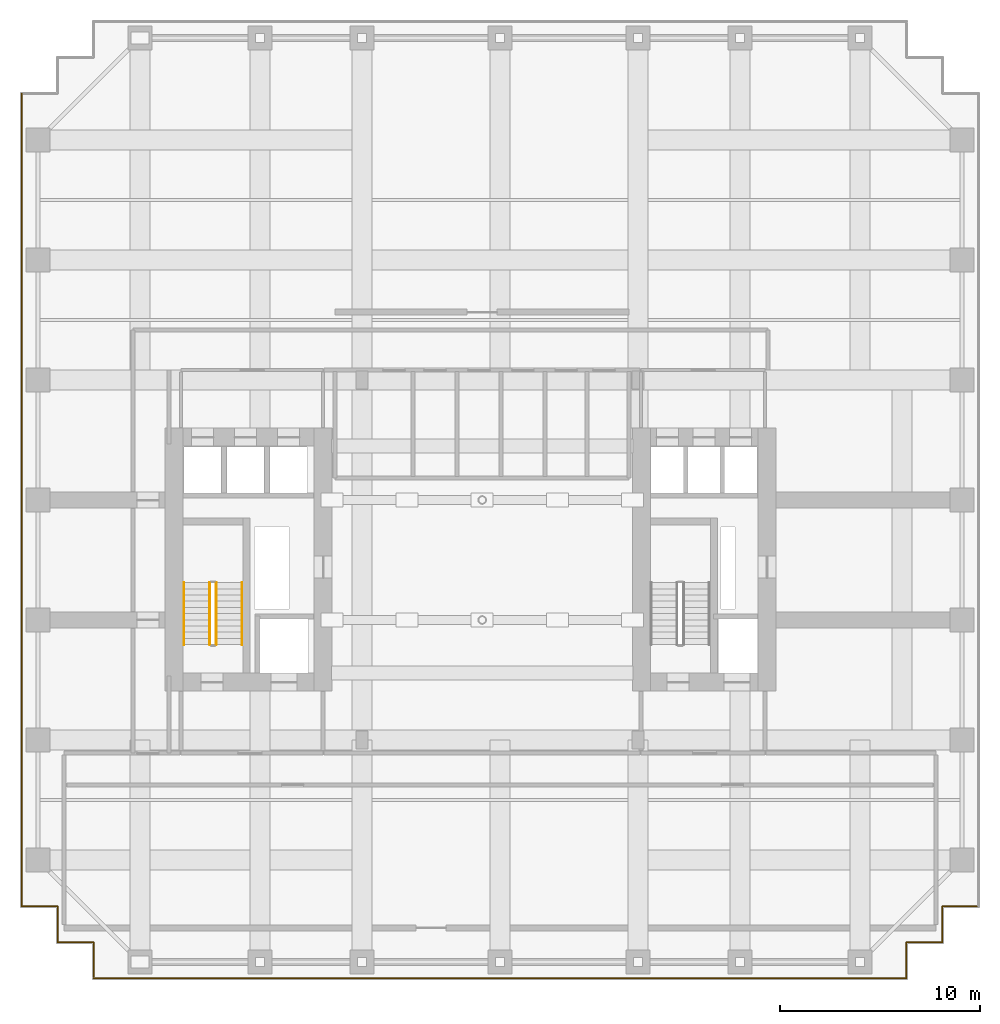
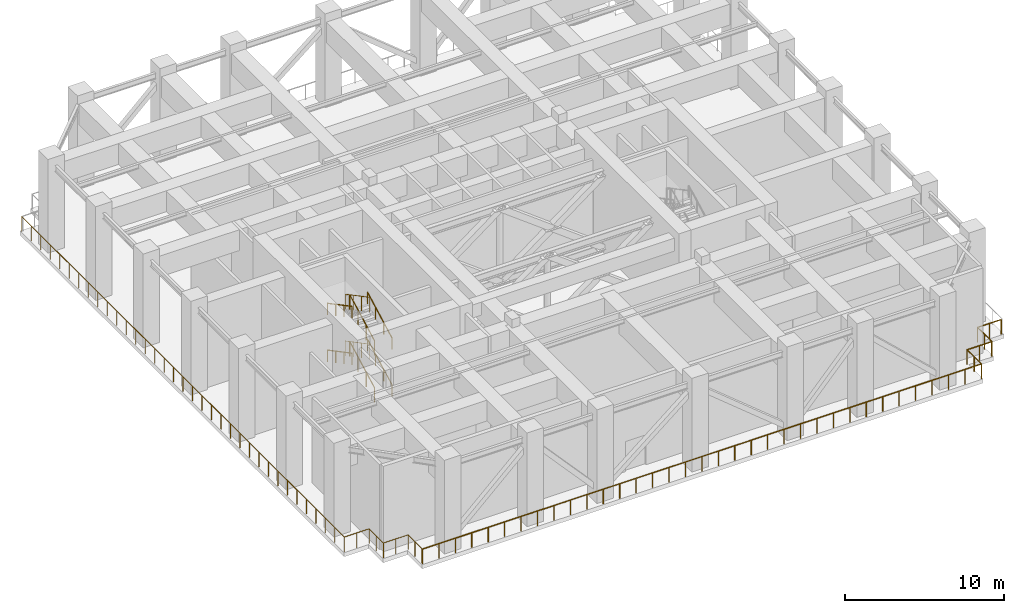
# One storey, part 8 of 10: 10 railings.
"""IFC4 building model written with IfcOpenShell, lengths in metres."""

from ifc_helpers import new_model, si_unit, direction, frame, origin, origin_2d, place, context, subcontext, project, spatial, circle, extrude, material, type_object, element, save


model = new_model("IFC4")

# Units and contexts
model_context = context("Model", 3, precision=1e-05, world=origin(), true_north=direction((0.0, 1.0)))
body_context = subcontext(model_context, "Body", "Model", "MODEL_VIEW")
ifc_project = project(units=[si_unit("LENGTHUNIT", "METRE"), si_unit("AREAUNIT", "SQUARE_METRE"), si_unit("VOLUMEUNIT", "CUBIC_METRE"), si_unit("PLANEANGLEUNIT", "RADIAN"), si_unit("MASSUNIT", "GRAM", prefix="KILO")], contexts=[model_context])

# Site, building, storey
site_placement = place(None, origin())
site = spatial("IfcSite", under=ifc_project, at=site_placement, CompositionType="ELEMENT")
building_placement = place(site_placement, origin())
building = spatial("IfcBuilding", under=site, at=building_placement, Name="Khoralis Quay Care Tower", CompositionType="ELEMENT")
storey_placement = place(building_placement, frame((0.0, 0.0, 76.5)))
storey = spatial("IfcBuildingStorey", under=building, at=storey_placement, Name="L20", CompositionType="ELEMENT", Elevation=76.5)

# Railings
ifc_material_1 = material(Name="Pale anodised aluminium", Category="aluminium")
railing_type_1 = type_object("IfcRailingType", Name="RL-BALUST-1150", PredefinedType="BALUSTRADE", material=ifc_material_1)
railing_1_placement = place(storey_placement, frame((3.679931640625, 0.080078125, 0.0)))
element("IfcRailing", 1, at=railing_1_placement, inside=storey, type_object=railing_type_1, Name="L20 Open Wind-Slot Portal Perimeter Guard 1.1", PredefinedType="BALUSTRADE", context=body_context, shape_type="SweptSolid", body=[
    extrude(circle(Radius=0.02392578125, at=origin_2d()), frame((0.0, 0.0, 1.1259765625), z_axis=(1.0, 0.0, 0.0), x_axis=(0.0, 1.0, 0.0)), (0.0, 0.0, 1.0), 40.64013671875),
    extrude(circle(Radius=0.02392578125, at=origin_2d()), frame((40.64013671875, 0.0, 1.1259765625), z_axis=(0.0, 1.0, 0.0), x_axis=(-1.0, 0.0, 0.0)), (0.0, 0.0, 1.0), 1.7998046875),
    extrude(circle(Radius=0.02392578125, at=origin_2d()), frame((40.64013671875, 1.7998046875, 1.1259765625), z_axis=(1.0, 0.0, 0.0), x_axis=(0.0, 1.0, 0.0)), (0.0, 0.0, 1.0), 1.800048828125),
    extrude(circle(Radius=0.02392578125, at=origin_2d()), frame((42.440185546875, 1.7998046875, 1.1259765625), z_axis=(0.0, 1.0, 0.0), x_axis=(-1.0, 0.0, 0.0)), (0.0, 0.0, 1.0), 1.800048828125),
    extrude(circle(Radius=0.02392578125, at=origin_2d()), frame((42.440185546875, 3.599853515625, 1.1259765625), z_axis=(1.0, 0.0, 0.0), x_axis=(0.0, 1.0, 0.0)), (0.0, 0.0, 1.0), 1.719970703125),
    extrude(circle(Radius=0.02099609375, at=origin_2d()), origin(), (0.0, 0.0, 1.0), 1.101806640625),
    extrude(circle(Radius=0.02099609375, at=origin_2d()), frame((1.1953125, 0.0, 0.0)), (0.0, 0.0, 1.0), 1.101806640625),
    extrude(circle(Radius=0.02099609375, at=origin_2d()), frame((2.390625, 0.0, 0.0)), (0.0, 0.0, 1.0), 1.101806640625),
    extrude(circle(Radius=0.02099609375, at=origin_2d()), frame((3.5859375, 0.0, 0.0)), (0.0, 0.0, 1.0), 1.101806640625),
    extrude(circle(Radius=0.02099609375, at=origin_2d()), frame((4.78125, 0.0, 0.0)), (0.0, 0.0, 1.0), 1.101806640625),
    extrude(circle(Radius=0.02099609375, at=origin_2d()), frame((5.9765625, 0.0, 0.0)), (0.0, 0.0, 1.0), 1.101806640625),
    extrude(circle(Radius=0.02099609375, at=origin_2d()), frame((7.171875, 0.0, 0.0)), (0.0, 0.0, 1.0), 1.101806640625),
    extrude(circle(Radius=0.02099609375, at=origin_2d()), frame((8.3671875, 0.0, 0.0)), (0.0, 0.0, 1.0), 1.101806640625),
    extrude(circle(Radius=0.02099609375, at=origin_2d()), frame((9.5625, 0.0, 0.0)), (0.0, 0.0, 1.0), 1.101806640625),
    extrude(circle(Radius=0.02099609375, at=origin_2d()), frame((10.757568359375, 0.0, 0.0)), (0.0, 0.0, 1.0), 1.101806640625),
    extrude(circle(Radius=0.02099609375, at=origin_2d()), frame((11.952880859375, 0.0, 0.0)), (0.0, 0.0, 1.0), 1.101806640625),
    extrude(circle(Radius=0.02099609375, at=origin_2d()), frame((13.148193359375, 0.0, 0.0)), (0.0, 0.0, 1.0), 1.101806640625),
    extrude(circle(Radius=0.02099609375, at=origin_2d()), frame((14.343505859375, 0.0, 0.0)), (0.0, 0.0, 1.0), 1.101806640625),
    extrude(circle(Radius=0.02099609375, at=origin_2d()), frame((15.538818359375, 0.0, 0.0)), (0.0, 0.0, 1.0), 1.101806640625),
    extrude(circle(Radius=0.02099609375, at=origin_2d()), frame((16.734130859375, 0.0, 0.0)), (0.0, 0.0, 1.0), 1.101806640625),
    extrude(circle(Radius=0.02099609375, at=origin_2d()), frame((17.929443359375, 0.0, 0.0)), (0.0, 0.0, 1.0), 1.101806640625),
    extrude(circle(Radius=0.02099609375, at=origin_2d()), frame((19.124755859375, 0.0, 0.0)), (0.0, 0.0, 1.0), 1.101806640625),
    extrude(circle(Radius=0.02099609375, at=origin_2d()), frame((20.320068359375, 0.0, 0.0)), (0.0, 0.0, 1.0), 1.101806640625),
    extrude(circle(Radius=0.02099609375, at=origin_2d()), frame((21.515380859375, 0.0, 0.0)), (0.0, 0.0, 1.0), 1.101806640625),
    extrude(circle(Radius=0.02099609375, at=origin_2d()), frame((22.710693359375, 0.0, 0.0)), (0.0, 0.0, 1.0), 1.101806640625),
    extrude(circle(Radius=0.02099609375, at=origin_2d()), frame((23.906005859375, 0.0, 0.0)), (0.0, 0.0, 1.0), 1.101806640625),
    extrude(circle(Radius=0.02099609375, at=origin_2d()), frame((25.101318359375, 0.0, 0.0)), (0.0, 0.0, 1.0), 1.101806640625),
    extrude(circle(Radius=0.02099609375, at=origin_2d()), frame((26.296630859375, 0.0, 0.0)), (0.0, 0.0, 1.0), 1.101806640625),
    extrude(circle(Radius=0.02099609375, at=origin_2d()), frame((27.491943359375, 0.0, 0.0)), (0.0, 0.0, 1.0), 1.101806640625),
    extrude(circle(Radius=0.02099609375, at=origin_2d()), frame((28.687255859375, 0.0, 0.0)), (0.0, 0.0, 1.0), 1.101806640625),
    extrude(circle(Radius=0.02099609375, at=origin_2d()), frame((29.882568359375, 0.0, 0.0)), (0.0, 0.0, 1.0), 1.101806640625),
    extrude(circle(Radius=0.02099609375, at=origin_2d()), frame((31.07763671875, 0.0, 0.0)), (0.0, 0.0, 1.0), 1.101806640625),
    extrude(circle(Radius=0.02099609375, at=origin_2d()), frame((32.27294921875, 0.0, 0.0)), (0.0, 0.0, 1.0), 1.101806640625),
    extrude(circle(Radius=0.02099609375, at=origin_2d()), frame((33.46826171875, 0.0, 0.0)), (0.0, 0.0, 1.0), 1.101806640625),
    extrude(circle(Radius=0.02099609375, at=origin_2d()), frame((34.66357421875, 0.0, 0.0)), (0.0, 0.0, 1.0), 1.101806640625),
    extrude(circle(Radius=0.02099609375, at=origin_2d()), frame((35.85888671875, 0.0, 0.0)), (0.0, 0.0, 1.0), 1.101806640625),
    extrude(circle(Radius=0.02099609375, at=origin_2d()), frame((37.05419921875, 0.0, 0.0)), (0.0, 0.0, 1.0), 1.101806640625),
    extrude(circle(Radius=0.02099609375, at=origin_2d()), frame((38.24951171875, 0.0, 0.0)), (0.0, 0.0, 1.0), 1.101806640625),
    extrude(circle(Radius=0.02099609375, at=origin_2d()), frame((39.44482421875, 0.0, 0.0)), (0.0, 0.0, 1.0), 1.101806640625),
    extrude(circle(Radius=0.02099609375, at=origin_2d()), frame((40.64013671875, 0.0, 0.0)), (0.0, 0.0, 1.0), 1.101806640625),
    extrude(circle(Radius=0.02099609375, at=origin_2d()), frame((40.64013671875, 0.89990234375, 0.0)), (0.0, 0.0, 1.0), 1.101806640625),
    extrude(circle(Radius=0.02099609375, at=origin_2d()), frame((40.64013671875, 1.7998046875, 0.0)), (0.0, 0.0, 1.0), 1.101806640625),
    extrude(circle(Radius=0.02099609375, at=origin_2d()), frame((41.5400390625, 1.7998046875, 0.0)), (0.0, 0.0, 1.0), 1.101806640625),
    extrude(circle(Radius=0.02099609375, at=origin_2d()), frame((42.440185546875, 1.7998046875, 0.0)), (0.0, 0.0, 1.0), 1.101806640625),
    extrude(circle(Radius=0.02099609375, at=origin_2d()), frame((42.440185546875, 2.69970703125, 0.0)), (0.0, 0.0, 1.0), 1.101806640625),
    extrude(circle(Radius=0.02099609375, at=origin_2d()), frame((42.440185546875, 3.599853515625, 0.0)), (0.0, 0.0, 1.0), 1.101806640625),
    extrude(circle(Radius=0.02099609375, at=origin_2d()), frame((43.30029296875, 3.599853515625, 0.0)), (0.0, 0.0, 1.0), 1.101806640625),
    extrude(circle(Radius=0.02099609375, at=origin_2d()), frame((44.16015625, 3.599853515625, 0.0)), (0.0, 0.0, 1.0), 1.101806640625),
])
railing_2_placement = place(storey_placement, frame((0.080078125, 44.320068359375, 0.0)))
element("IfcRailing", 2, at=railing_2_placement, inside=storey, type_object=railing_type_1, Name="L20 Open Wind-Slot Portal Perimeter Guard 1.4", PredefinedType="BALUSTRADE", context=body_context, shape_type="SweptSolid", body=[
    extrude(circle(Radius=0.02392578125, at=origin_2d()), frame((0.0, 0.0, 1.1259765625), z_axis=(0.0, -1.0, 0.0), x_axis=(1.0, 0.0, 0.0)), (0.0, 0.0, 1.0), 40.64013671875),
    extrude(circle(Radius=0.02392578125, at=origin_2d()), frame((0.0, -40.64013671875, 1.1259765625), z_axis=(1.0, 0.0, 0.0), x_axis=(0.0, 1.0, 0.0)), (0.0, 0.0, 1.0), 1.7998046875),
    extrude(circle(Radius=0.02392578125, at=origin_2d()), frame((1.7998046875, -40.64013671875, 1.1259765625), z_axis=(0.0, -1.0, 0.0), x_axis=(1.0, 0.0, 0.0)), (0.0, 0.0, 1.0), 1.800048828125),
    extrude(circle(Radius=0.02392578125, at=origin_2d()), frame((1.7998046875, -42.440185546875, 1.1259765625), z_axis=(1.0, 0.0, 0.0), x_axis=(0.0, 1.0, 0.0)), (0.0, 0.0, 1.0), 1.800048828125),
    extrude(circle(Radius=0.02392578125, at=origin_2d()), frame((3.599853515625, -42.440185546875, 1.1259765625), z_axis=(0.0, -1.0, 0.0), x_axis=(1.0, 0.0, 0.0)), (0.0, 0.0, 1.0), 1.719970703125),
    extrude(circle(Radius=0.02099609375, at=origin_2d()), origin(), (0.0, 0.0, 1.0), 1.101806640625),
    extrude(circle(Radius=0.02099609375, at=origin_2d()), frame((0.0, -1.1953125, 0.0)), (0.0, 0.0, 1.0), 1.101806640625),
    extrude(circle(Radius=0.02099609375, at=origin_2d()), frame((0.0, -2.390625, 0.0)), (0.0, 0.0, 1.0), 1.101806640625),
    extrude(circle(Radius=0.02099609375, at=origin_2d()), frame((0.0, -3.5859375, 0.0)), (0.0, 0.0, 1.0), 1.101806640625),
    extrude(circle(Radius=0.02099609375, at=origin_2d()), frame((0.0, -4.78125, 0.0)), (0.0, 0.0, 1.0), 1.101806640625),
    extrude(circle(Radius=0.02099609375, at=origin_2d()), frame((0.0, -5.9765625, 0.0)), (0.0, 0.0, 1.0), 1.101806640625),
    extrude(circle(Radius=0.02099609375, at=origin_2d()), frame((0.0, -7.171875, 0.0)), (0.0, 0.0, 1.0), 1.101806640625),
    extrude(circle(Radius=0.02099609375, at=origin_2d()), frame((0.0, -8.3671875, 0.0)), (0.0, 0.0, 1.0), 1.101806640625),
    extrude(circle(Radius=0.02099609375, at=origin_2d()), frame((0.0, -9.5625, 0.0)), (0.0, 0.0, 1.0), 1.101806640625),
    extrude(circle(Radius=0.02099609375, at=origin_2d()), frame((0.0, -10.757568359375, 0.0)), (0.0, 0.0, 1.0), 1.101806640625),
    extrude(circle(Radius=0.02099609375, at=origin_2d()), frame((0.0, -11.952880859375, 0.0)), (0.0, 0.0, 1.0), 1.101806640625),
    extrude(circle(Radius=0.02099609375, at=origin_2d()), frame((0.0, -13.148193359375, 0.0)), (0.0, 0.0, 1.0), 1.101806640625),
    extrude(circle(Radius=0.02099609375, at=origin_2d()), frame((0.0, -14.343505859375, 0.0)), (0.0, 0.0, 1.0), 1.101806640625),
    extrude(circle(Radius=0.02099609375, at=origin_2d()), frame((0.0, -15.538818359375, 0.0)), (0.0, 0.0, 1.0), 1.101806640625),
    extrude(circle(Radius=0.02099609375, at=origin_2d()), frame((0.0, -16.734130859375, 0.0)), (0.0, 0.0, 1.0), 1.101806640625),
    extrude(circle(Radius=0.02099609375, at=origin_2d()), frame((0.0, -17.929443359375, 0.0)), (0.0, 0.0, 1.0), 1.101806640625),
    extrude(circle(Radius=0.02099609375, at=origin_2d()), frame((0.0, -19.124755859375, 0.0)), (0.0, 0.0, 1.0), 1.101806640625),
    extrude(circle(Radius=0.02099609375, at=origin_2d()), frame((0.0, -20.320068359375, 0.0)), (0.0, 0.0, 1.0), 1.101806640625),
    extrude(circle(Radius=0.02099609375, at=origin_2d()), frame((0.0, -21.515380859375, 0.0)), (0.0, 0.0, 1.0), 1.101806640625),
    extrude(circle(Radius=0.02099609375, at=origin_2d()), frame((0.0, -22.710693359375, 0.0)), (0.0, 0.0, 1.0), 1.101806640625),
    extrude(circle(Radius=0.02099609375, at=origin_2d()), frame((0.0, -23.906005859375, 0.0)), (0.0, 0.0, 1.0), 1.101806640625),
    extrude(circle(Radius=0.02099609375, at=origin_2d()), frame((0.0, -25.101318359375, 0.0)), (0.0, 0.0, 1.0), 1.101806640625),
    extrude(circle(Radius=0.02099609375, at=origin_2d()), frame((0.0, -26.296630859375, 0.0)), (0.0, 0.0, 1.0), 1.101806640625),
    extrude(circle(Radius=0.02099609375, at=origin_2d()), frame((0.0, -27.491943359375, 0.0)), (0.0, 0.0, 1.0), 1.101806640625),
    extrude(circle(Radius=0.02099609375, at=origin_2d()), frame((0.0, -28.687255859375, 0.0)), (0.0, 0.0, 1.0), 1.101806640625),
    extrude(circle(Radius=0.02099609375, at=origin_2d()), frame((0.0, -29.882568359375, 0.0)), (0.0, 0.0, 1.0), 1.101806640625),
    extrude(circle(Radius=0.02099609375, at=origin_2d()), frame((0.0, -31.07763671875, 0.0)), (0.0, 0.0, 1.0), 1.101806640625),
    extrude(circle(Radius=0.02099609375, at=origin_2d()), frame((0.0, -32.27294921875, 0.0)), (0.0, 0.0, 1.0), 1.101806640625),
    extrude(circle(Radius=0.02099609375, at=origin_2d()), frame((0.0, -33.46826171875, 0.0)), (0.0, 0.0, 1.0), 1.101806640625),
    extrude(circle(Radius=0.02099609375, at=origin_2d()), frame((0.0, -34.66357421875, 0.0)), (0.0, 0.0, 1.0), 1.101806640625),
    extrude(circle(Radius=0.02099609375, at=origin_2d()), frame((0.0, -35.85888671875, 0.0)), (0.0, 0.0, 1.0), 1.101806640625),
    extrude(circle(Radius=0.02099609375, at=origin_2d()), frame((0.0, -37.05419921875, 0.0)), (0.0, 0.0, 1.0), 1.101806640625),
    extrude(circle(Radius=0.02099609375, at=origin_2d()), frame((0.0, -38.24951171875, 0.0)), (0.0, 0.0, 1.0), 1.101806640625),
    extrude(circle(Radius=0.02099609375, at=origin_2d()), frame((0.0, -39.44482421875, 0.0)), (0.0, 0.0, 1.0), 1.101806640625),
    extrude(circle(Radius=0.02099609375, at=origin_2d()), frame((0.0, -40.64013671875, 0.0)), (0.0, 0.0, 1.0), 1.101806640625),
    extrude(circle(Radius=0.02099609375, at=origin_2d()), frame((0.89990234375, -40.64013671875, 0.0)), (0.0, 0.0, 1.0), 1.101806640625),
    extrude(circle(Radius=0.02099609375, at=origin_2d()), frame((1.7998046875, -40.64013671875, 0.0)), (0.0, 0.0, 1.0), 1.101806640625),
    extrude(circle(Radius=0.02099609375, at=origin_2d()), frame((1.7998046875, -41.5400390625, 0.0)), (0.0, 0.0, 1.0), 1.101806640625),
    extrude(circle(Radius=0.02099609375, at=origin_2d()), frame((1.7998046875, -42.440185546875, 0.0)), (0.0, 0.0, 1.0), 1.101806640625),
    extrude(circle(Radius=0.02099609375, at=origin_2d()), frame((2.69970703125, -42.440185546875, 0.0)), (0.0, 0.0, 1.0), 1.101806640625),
    extrude(circle(Radius=0.02099609375, at=origin_2d()), frame((3.599853515625, -42.440185546875, 0.0)), (0.0, 0.0, 1.0), 1.101806640625),
    extrude(circle(Radius=0.02099609375, at=origin_2d()), frame((3.599853515625, -43.30029296875, 0.0)), (0.0, 0.0, 1.0), 1.101806640625),
    extrude(circle(Radius=0.02099609375, at=origin_2d()), frame((3.599853515625, -44.16015625, 0.0)), (0.0, 0.0, 1.0), 1.101806640625),
])
ifc_material_2 = material(Name="Brushed stainless steel", Category="steel")
railing_type_2 = type_object("IfcRailingType", Name="RL-GUARD-1150", PredefinedType="GUARDRAIL", material=ifc_material_2)
railing_3_placement = place(storey_placement, frame((9.820068359375, 16.77001953125, 0.16357421875)))
element("IfcRailing", 3, at=railing_3_placement, inside=storey, type_object=railing_type_2, Name="L20 ST-T1 stair guard 1", PredefinedType="GUARDRAIL", context=body_context, shape_type="SweptSolid", body=[
    extrude(circle(Radius=0.02392578125, at=origin_2d()), frame((0.0, 0.0, 1.1259765625), z_axis=(0.0, 0.884348015382, 0.466828220752), x_axis=(-1.0, 0.0, 0.0)), (0.0, 0.0, 1.0), 3.505615234375),
    extrude(circle(Radius=0.02099609375, at=origin_2d()), origin(), (0.0, 0.0, 1.0), 1.101806640625),
    extrude(circle(Radius=0.02099609375, at=origin_2d()), frame((0.0, 1.033447265625, 0.54541015625)), (0.0, 0.0, 1.0), 1.101806640625),
    extrude(circle(Radius=0.02099609375, at=origin_2d()), frame((0.0, 2.066650390625, 1.091064453125)), (0.0, 0.0, 1.0), 1.101806640625),
    extrude(circle(Radius=0.02099609375, at=origin_2d()), frame((0.0, 3.10009765625, 1.636474609375)), (0.0, 0.0, 1.0), 1.101806640625),
])
railing_4_placement = place(storey_placement, frame((9.47998046875, 19.8701171875, 1.963623046875)))
element("IfcRailing", 4, at=railing_4_placement, inside=storey, type_object=railing_type_2, Name="L20 ST-T1 stair guard 3", PredefinedType="GUARDRAIL", context=body_context, shape_type="SweptSolid", body=[
    extrude(circle(Radius=0.02392578125, at=origin_2d()), frame((0.0, 0.0, 1.1259765625), z_axis=(0.0, -0.884348015382, 0.466828220752), x_axis=(1.0, 0.0, 0.0)), (0.0, 0.0, 1.0), 3.505615234375),
    extrude(circle(Radius=0.02099609375, at=origin_2d()), origin(), (0.0, 0.0, 1.0), 1.101806640625),
    extrude(circle(Radius=0.02099609375, at=origin_2d()), frame((0.0, -1.033447265625, 0.54541015625)), (0.0, 0.0, 1.0), 1.101806640625),
    extrude(circle(Radius=0.02099609375, at=origin_2d()), frame((0.0, -2.066650390625, 1.091064453125)), (0.0, 0.0, 1.0), 1.101806640625),
    extrude(circle(Radius=0.02099609375, at=origin_2d()), frame((0.0, -3.10009765625, 1.636474609375)), (0.0, 0.0, 1.0), 1.101806640625),
])
railing_5_placement = place(storey_placement, frame((9.820068359375, 16.77001953125, 3.763671875)))
element("IfcRailing", 5, at=railing_5_placement, inside=storey, type_object=railing_type_2, Name="L20 ST-T1 stair guard 5", PredefinedType="GUARDRAIL", context=body_context, shape_type="SweptSolid", body=[
    extrude(circle(Radius=0.02392578125, at=origin_2d()), frame((0.0, 0.0, 1.1259765625), z_axis=(0.0, 0.884376766648, 0.46677375099), x_axis=(-1.0, 0.0, 0.0)), (0.0, 0.0, 1.0), 3.50537109375),
    extrude(circle(Radius=0.02099609375, at=origin_2d()), origin(), (0.0, 0.0, 1.0), 1.101806640625),
    extrude(circle(Radius=0.02099609375, at=origin_2d()), frame((0.0, 1.033447265625, 0.54541015625)), (0.0, 0.0, 1.0), 1.101806640625),
    extrude(circle(Radius=0.02099609375, at=origin_2d()), frame((0.0, 2.066650390625, 1.0908203125)), (0.0, 0.0, 1.0), 1.101806640625),
    extrude(circle(Radius=0.02099609375, at=origin_2d()), frame((0.0, 3.10009765625, 1.63623046875)), (0.0, 0.0, 1.0), 1.101806640625),
])
railing_6_placement = place(storey_placement, frame((9.47998046875, 19.8701171875, 5.563720703125)))
element("IfcRailing", 6, at=railing_6_placement, inside=storey, type_object=railing_type_2, Name="L20 ST-T1 stair guard 7", PredefinedType="GUARDRAIL", context=body_context, shape_type="SweptSolid", body=[
    extrude(circle(Radius=0.02392578125, at=origin_2d()), frame((0.0, 0.0, 1.1259765625), z_axis=(0.0, -0.884376766648, 0.46677375099), x_axis=(1.0, 0.0, 0.0)), (0.0, 0.0, 1.0), 3.50537109375),
    extrude(circle(Radius=0.02099609375, at=origin_2d()), origin(), (0.0, 0.0, 1.0), 1.101806640625),
    extrude(circle(Radius=0.02099609375, at=origin_2d()), frame((0.0, -1.033447265625, 0.54541015625)), (0.0, 0.0, 1.0), 1.101806640625),
    extrude(circle(Radius=0.02099609375, at=origin_2d()), frame((0.0, -2.066650390625, 1.0908203125)), (0.0, 0.0, 1.0), 1.101806640625),
    extrude(circle(Radius=0.02099609375, at=origin_2d()), frame((0.0, -3.10009765625, 1.63623046875)), (0.0, 0.0, 1.0), 1.101806640625),
])
railing_type_3 = type_object("IfcRailingType", Name="RL-HAND-900", PredefinedType="HANDRAIL", material=ifc_material_2)
railing_7_placement = place(storey_placement, frame((11.10009765625, 16.77001953125, 0.16357421875)))
element("IfcRailing", 7, at=railing_7_placement, inside=storey, type_object=railing_type_3, Name="L20 ST-T1 stair handrail 1", PredefinedType="HANDRAIL", context=body_context, shape_type="SweptSolid", body=[
    extrude(circle(Radius=0.02392578125, at=origin_2d()), frame((0.0, 0.0, 0.8759765625), z_axis=(0.0, 0.884348015382, 0.466828220752), x_axis=(-1.0, 0.0, 0.0)), (0.0, 0.0, 1.0), 3.505615234375),
    extrude(circle(Radius=0.02099609375, at=origin_2d()), origin(), (0.0, 0.0, 1.0), 0.851806640625),
    extrude(circle(Radius=0.02099609375, at=origin_2d()), frame((0.0, 1.033447265625, 0.54541015625)), (0.0, 0.0, 1.0), 0.851806640625),
    extrude(circle(Radius=0.02099609375, at=origin_2d()), frame((0.0, 2.066650390625, 1.091064453125)), (0.0, 0.0, 1.0), 0.851806640625),
    extrude(circle(Radius=0.02099609375, at=origin_2d()), frame((0.0, 3.10009765625, 1.636474609375)), (0.0, 0.0, 1.0), 0.851806640625),
])
railing_8_placement = place(storey_placement, frame((8.199951171875, 19.8701171875, 1.963623046875)))
element("IfcRailing", 8, at=railing_8_placement, inside=storey, type_object=railing_type_3, Name="L20 ST-T1 stair handrail 2", PredefinedType="HANDRAIL", context=body_context, shape_type="SweptSolid", body=[
    extrude(circle(Radius=0.02392578125, at=origin_2d()), frame((0.0, 0.0, 0.8759765625), z_axis=(0.0, -0.884348015382, 0.466828220752), x_axis=(1.0, 0.0, 0.0)), (0.0, 0.0, 1.0), 3.505615234375),
    extrude(circle(Radius=0.02099609375, at=origin_2d()), origin(), (0.0, 0.0, 1.0), 0.851806640625),
    extrude(circle(Radius=0.02099609375, at=origin_2d()), frame((0.0, -1.033447265625, 0.54541015625)), (0.0, 0.0, 1.0), 0.851806640625),
    extrude(circle(Radius=0.02099609375, at=origin_2d()), frame((0.0, -2.066650390625, 1.091064453125)), (0.0, 0.0, 1.0), 0.851806640625),
    extrude(circle(Radius=0.02099609375, at=origin_2d()), frame((0.0, -3.10009765625, 1.636474609375)), (0.0, 0.0, 1.0), 0.851806640625),
])
railing_9_placement = place(storey_placement, frame((11.10009765625, 16.77001953125, 3.763671875)))
element("IfcRailing", 9, at=railing_9_placement, inside=storey, type_object=railing_type_3, Name="L20 ST-T1 stair handrail 3", PredefinedType="HANDRAIL", context=body_context, shape_type="SweptSolid", body=[
    extrude(circle(Radius=0.02392578125, at=origin_2d()), frame((0.0, 0.0, 0.8759765625), z_axis=(0.0, 0.884376766648, 0.46677375099), x_axis=(-1.0, 0.0, 0.0)), (0.0, 0.0, 1.0), 3.50537109375),
    extrude(circle(Radius=0.02099609375, at=origin_2d()), origin(), (0.0, 0.0, 1.0), 0.851806640625),
    extrude(circle(Radius=0.02099609375, at=origin_2d()), frame((0.0, 1.033447265625, 0.54541015625)), (0.0, 0.0, 1.0), 0.851806640625),
    extrude(circle(Radius=0.02099609375, at=origin_2d()), frame((0.0, 2.066650390625, 1.0908203125)), (0.0, 0.0, 1.0), 0.851806640625),
    extrude(circle(Radius=0.02099609375, at=origin_2d()), frame((0.0, 3.10009765625, 1.63623046875)), (0.0, 0.0, 1.0), 0.851806640625),
])
railing_10_placement = place(storey_placement, frame((8.199951171875, 19.8701171875, 5.563720703125)))
element("IfcRailing", 10, at=railing_10_placement, inside=storey, type_object=railing_type_3, Name="L20 ST-T1 stair handrail 4", PredefinedType="HANDRAIL", context=body_context, shape_type="SweptSolid", body=[
    extrude(circle(Radius=0.02392578125, at=origin_2d()), frame((0.0, 0.0, 0.8759765625), z_axis=(0.0, -0.884376766648, 0.46677375099), x_axis=(1.0, 0.0, 0.0)), (0.0, 0.0, 1.0), 3.50537109375),
    extrude(circle(Radius=0.02099609375, at=origin_2d()), origin(), (0.0, 0.0, 1.0), 0.851806640625),
    extrude(circle(Radius=0.02099609375, at=origin_2d()), frame((0.0, -1.033447265625, 0.54541015625)), (0.0, 0.0, 1.0), 0.851806640625),
    extrude(circle(Radius=0.02099609375, at=origin_2d()), frame((0.0, -2.066650390625, 1.0908203125)), (0.0, 0.0, 1.0), 0.851806640625),
    extrude(circle(Radius=0.02099609375, at=origin_2d()), frame((0.0, -3.10009765625, 1.63623046875)), (0.0, 0.0, 1.0), 0.851806640625),
])

save(model, "model.ifc")
